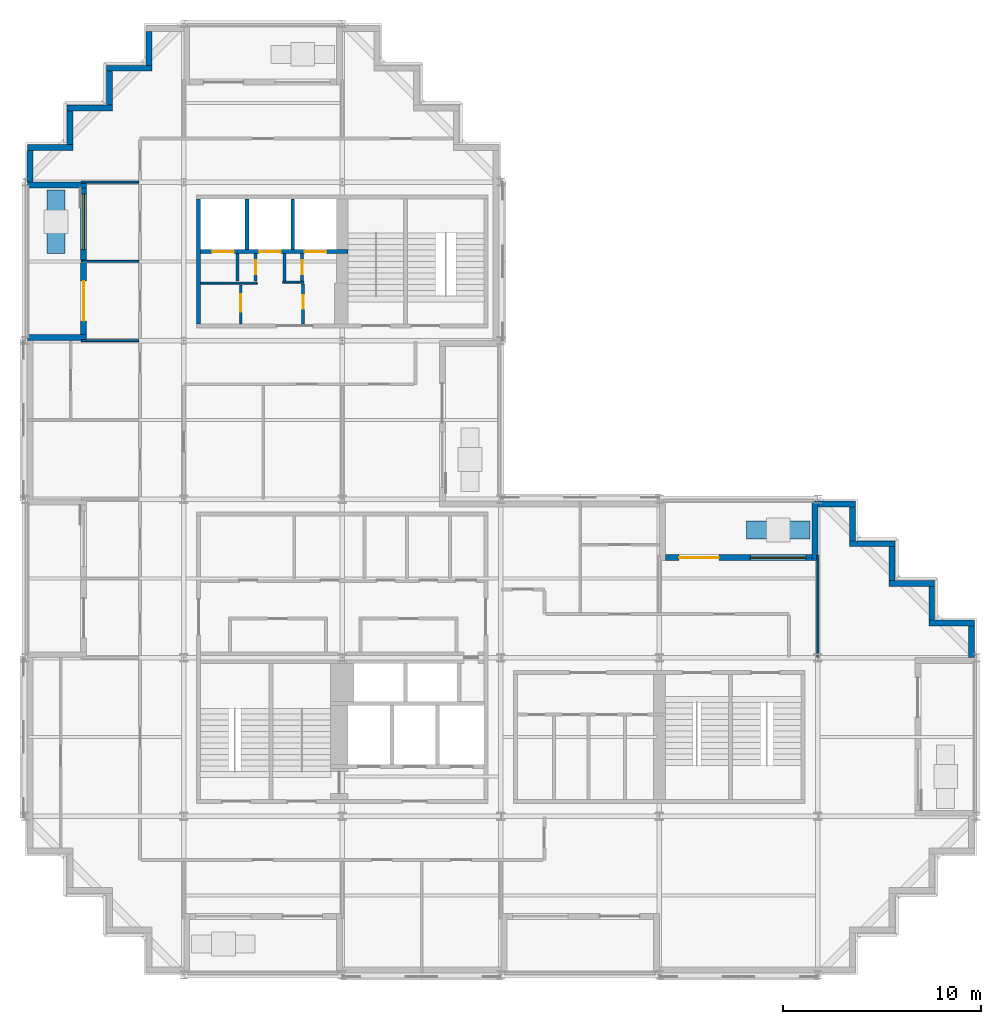
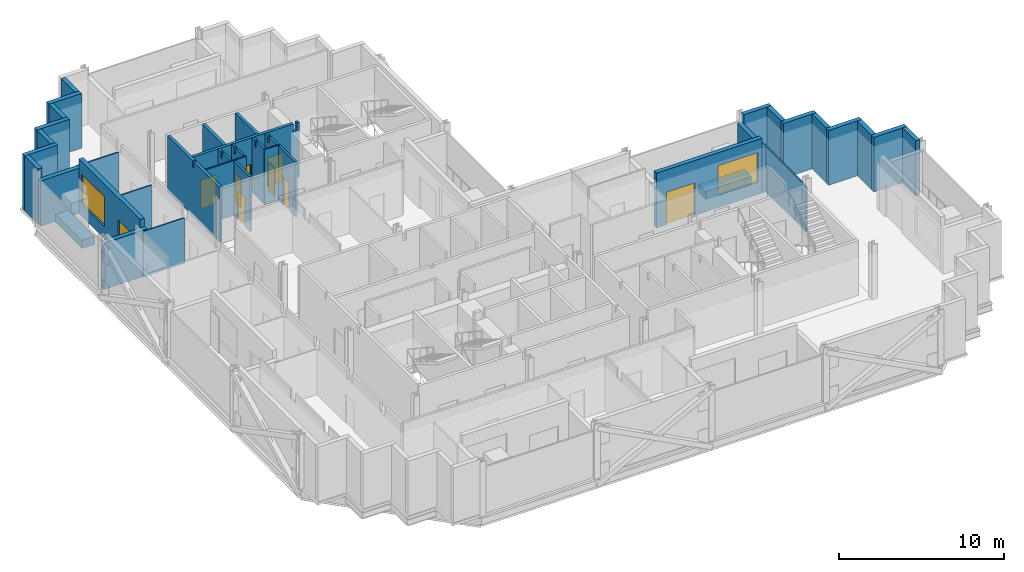
# One storey, part 8 of 13: 38 walls, 9 doors, 2 windows, 11 openings.
"""IFC4 building model written with IfcOpenShell, lengths in metres."""

from ifc_helpers import new_model, si_unit, direction, frame, frame_2d, origin, place, context, subcontext, project, spatial, polyline, rectangle, outline, extrude, material, layer, layer_set, type_object, element, fill, save


model = new_model("IFC4")

# Units and contexts
model_context = context("Model", 3, precision=1e-05, world=origin(), true_north=direction((0.0, 1.0)))
body_context = subcontext(model_context, "Body", "Model", "MODEL_VIEW")
ifc_project = project(units=[si_unit("LENGTHUNIT", "METRE"), si_unit("AREAUNIT", "SQUARE_METRE"), si_unit("VOLUMEUNIT", "CUBIC_METRE"), si_unit("PLANEANGLEUNIT", "RADIAN"), si_unit("MASSUNIT", "GRAM", prefix="KILO")], contexts=[model_context])

# Site, building, storey
site_placement = place(None, origin())
site = spatial("IfcSite", under=ifc_project, at=site_placement, CompositionType="ELEMENT")
building_placement = place(site_placement, origin())
building = spatial("IfcBuilding", under=site, at=building_placement, Name="Immortelle Media Tower", CompositionType="ELEMENT")
storey_placement = place(building_placement, frame((0.0, 0.0, 166.199951171875)))
storey = spatial("IfcBuildingStorey", under=building, at=storey_placement, Name="L34", CompositionType="ELEMENT", Elevation=166.199951171875)

# Walls
ifc_material_1 = material(Name="Fire-rated gypsum board", Category="gypsum")
ifc_layer_1 = layer(ifc_material_1, 0.02490234375)
ifc_material_2 = material(Name="Steel ASTM A653 SS Gr 50 stud frame with mineral wool", Category="steel")
ifc_layer_2 = layer(ifc_material_2, 0.050048828125)
ifc_layer_3 = layer(ifc_material_1, 0.02490234375)
ifc_layer_set_1 = layer_set([ifc_layer_1, ifc_layer_2, ifc_layer_3], Name="Steel ASTM A653 SS Gr 50 stud frame with mineral wool")
wall_type_1 = type_object("IfcWallType", Name="Core partition 100", PredefinedType="PARTITIONING", material=ifc_layer_set_1)
wall_1_placement = place(storey_placement, frame((8.85009765625, 34.89990234375, 0.0), z_axis=(0.0, 0.0, 1.0), x_axis=(1.0, 0.0, 0.0)))
element("IfcWall", 1, at=wall_1_placement, inside=storey, type_object=wall_type_1, Name="Core partition NW", PredefinedType="PARTITIONING", context=body_context, shape_type="SweptSolid", body=[
    extrude(rectangle(XDim=2.849853515625, YDim=0.10009765625, at=frame_2d((1.4248046875, 0.0))), origin(), (0.0, 0.0, 1.0), 4.050048828125),
])
wall_2_placement = place(storey_placement, frame((13.0, 34.949951171875, 0.0), z_axis=(0.0, 0.0, 1.0), x_axis=(1.0, 0.0, 0.0)))
element("IfcWall", 2, at=wall_2_placement, inside=storey, type_object=wall_type_1, Name="Core partition NW", PredefinedType="PARTITIONING", context=body_context, shape_type="SweptSolid", body=[
    extrude(rectangle(XDim=1.050048828125, YDim=0.10009765625, at=frame_2d((0.52490234375, 0.0))), origin(), (0.0, 0.0, 1.0), 4.050048828125),
])
ifc_layer_4 = layer(ifc_material_1, 0.02490234375)
ifc_layer_5 = layer(ifc_material_2, 0.10009765625)
ifc_layer_6 = layer(ifc_material_1, 0.02490234375)
ifc_layer_set_2 = layer_set([ifc_layer_4, ifc_layer_5, ifc_layer_6], Name="Steel ASTM A653 SS Gr 50 stud frame with mineral wool")
wall_type_2 = type_object("IfcWallType", Name="Core partition 150", PredefinedType="PARTITIONING", material=ifc_layer_set_2)
wall_3_placement = place(storey_placement, frame((10.699951171875, 35.0, 0.0), z_axis=(0.0, 0.0, 1.0), x_axis=(0.0, 1.0, 0.0)))
element("IfcWall", 3, at=wall_3_placement, inside=storey, type_object=wall_type_2, Name="Core partition NW", PredefinedType="PARTITIONING", context=body_context, shape_type="SweptSolid", body=[
    extrude(outline(polyline([(0.0, 0.0), (1.39990234375, 0.0), (1.39990234375, 4.050048828125), (1.08154296875, 4.050048828125), (1.08056640625, 3.589111328125), (0.91943359375, 3.589111328125), (0.91845703125, 4.050048828125), (0.0, 4.050048828125), (0.0, 0.0)])), frame((0.0, 0.074951171875, 0.0), z_axis=(0.0, -1.0, 0.0), x_axis=(1.0, 0.0, 0.0)), (0.0, 0.0, 1.0), 0.14990234375),
])

# Wall, opening, door
wall_4_placement = place(storey_placement, frame((10.875, 32.85009765625, 0.0), z_axis=(0.0, 0.0, 1.0), x_axis=(0.0, 1.0, 0.0)))
wall_4 = element("IfcWall", 4, at=wall_4_placement, inside=storey, type_object=wall_type_2, Name="Core partition NW", PredefinedType="PARTITIONING", context=body_context, shape_type="SweptSolid", body=[
    extrude(rectangle(XDim=1.949951171875, YDim=0.14990234375, at=frame_2d((0.97509765625, 0.0))), origin(), (0.0, 0.0, 1.0), 4.050048828125),
])
opening_1_placement = place(wall_4_placement, frame((0.60009765625, 0.0, 0.0)))
opening_1 = element("IfcOpeningElement", 5, at=opening_1_placement, cuts=wall_4, Name="Opening C5-K026", PredefinedType="OPENING", context=body_context, shape_type="SweptSolid", body=[
    extrude(rectangle(XDim=0.89990234375, YDim=2.10009765625, at=frame_2d((0.449951171875, 1.050048828125))), frame((0.0, 0.0849609375, 0.0), z_axis=(0.0, -1.0, 0.0), x_axis=(1.0, 0.0, 0.0)), (0.0, 0.0, 1.0), 0.169921875),
])
ifc_material_3 = material(Name="Galvanised steel door leaf and frame ASTM A653", Category="steel")
door_type_1 = type_object("IfcDoorType", Name="Service door 900 x 2100", OperationType="NOTDEFINED", PredefinedType="NOTDEFINED", material=ifc_material_3)
door_1_placement = place(opening_1_placement, origin())
door_1 = element("IfcDoor", 6, at=door_1_placement, inside=storey, type_object=door_type_1, Name="Service C5-K026", OperationType="SINGLE_SWING_LEFT", OverallHeight=2.10009765625, OverallWidth=0.89990234375, PredefinedType="NOTDEFINED", context=body_context, shape_type="SweptSolid", body=[
    extrude(rectangle(XDim=0.89990234375, YDim=2.10009765625, at=frame_2d((0.449951171875, 1.050048828125))), frame((0.0, 0.02490234375, 0.0), z_axis=(0.0, -1.0, 0.0), x_axis=(1.0, 0.0, 0.0)), (0.0, 0.0, 1.0), 0.050048828125),
])
fill(opening_1, door_1)

wall_5_placement = place(storey_placement, frame((11.625, 35.0, 0.0), z_axis=(0.0, 0.0, 1.0), x_axis=(0.0, 1.0, 0.0)))
wall_5 = element("IfcWall", 7, at=wall_5_placement, inside=storey, type_object=wall_type_2, Name="Core partition NW", PredefinedType="PARTITIONING", context=body_context, shape_type="SweptSolid", body=[
    extrude(outline(polyline([(0.0, 0.0), (1.39990234375, 0.0), (1.39990234375, 4.050048828125), (1.08154296875, 4.050048828125), (1.08056640625, 3.589111328125), (0.91943359375, 3.589111328125), (0.91845703125, 4.050048828125), (0.0, 4.050048828125), (0.0, 0.0)])), frame((0.0, 0.074951171875, 0.0), z_axis=(0.0, -1.0, 0.0), x_axis=(1.0, 0.0, 0.0)), (0.0, 0.0, 1.0), 0.14990234375),
])
opening_2_placement = place(wall_5_placement, frame((0.35009765625, 0.0, 0.0)))
opening_2 = element("IfcOpeningElement", 8, at=opening_2_placement, cuts=wall_5, Name="Opening C5-K027", PredefinedType="OPENING", context=body_context, shape_type="SweptSolid", body=[
    extrude(rectangle(XDim=0.699951171875, YDim=2.10009765625, at=frame_2d((0.35009765625, 1.050048828125))), frame((0.0, 0.0849609375, 0.0), z_axis=(0.0, -1.0, 0.0), x_axis=(1.0, 0.0, 0.0)), (0.0, 0.0, 1.0), 0.169921875),
])
door_type_2 = type_object("IfcDoorType", Name="Service door 700 x 2100", OperationType="NOTDEFINED", PredefinedType="NOTDEFINED", material=ifc_material_3)
door_2_placement = place(opening_2_placement, origin())
door_2 = element("IfcDoor", 9, at=door_2_placement, inside=storey, type_object=door_type_2, Name="Service C5-K027", OperationType="SINGLE_SWING_RIGHT", OverallHeight=2.10009765625, OverallWidth=0.699951171875, PredefinedType="NOTDEFINED", context=body_context, shape_type="SweptSolid", body=[
    extrude(rectangle(XDim=0.699951171875, YDim=2.10009765625, at=frame_2d((0.35009765625, 1.050048828125))), frame((0.0, 0.02490234375, 0.0), z_axis=(0.0, -1.0, 0.0), x_axis=(1.0, 0.0, 0.0)), (0.0, 0.0, 1.0), 0.050048828125),
])
fill(opening_2, door_2)

# Wall
wall_6_placement = place(storey_placement, frame((13.074951171875, 35.0, 0.0), z_axis=(0.0, 0.0, 1.0), x_axis=(0.0, 1.0, 0.0)))
element("IfcWall", 10, at=wall_6_placement, inside=storey, type_object=wall_type_2, Name="Core partition NW", PredefinedType="PARTITIONING", context=body_context, shape_type="SweptSolid", body=[
    extrude(outline(polyline([(0.0, 0.0), (1.39990234375, 0.0), (1.39990234375, 4.050048828125), (1.08154296875, 4.050048828125), (1.08056640625, 3.589111328125), (0.91943359375, 3.589111328125), (0.91845703125, 4.050048828125), (0.0, 4.050048828125), (0.0, 0.0)])), frame((0.0, 0.074951171875, 0.0), z_axis=(0.0, -1.0, 0.0), x_axis=(1.0, 0.0, 0.0)), (0.0, 0.0, 1.0), 0.14990234375),
])

# Wall, opening, door
wall_7_placement = place(storey_placement, frame((13.97509765625, 35.0, 0.0), z_axis=(0.0, 0.0, 1.0), x_axis=(0.0, 1.0, 0.0)))
wall_7 = element("IfcWall", 11, at=wall_7_placement, inside=storey, type_object=wall_type_2, Name="Core partition NW", PredefinedType="PARTITIONING", context=body_context, shape_type="SweptSolid", body=[
    extrude(outline(polyline([(0.0, 0.0), (1.39990234375, 0.0), (1.39990234375, 4.050048828125), (1.08154296875, 4.050048828125), (1.08056640625, 3.589111328125), (0.91943359375, 3.589111328125), (0.91845703125, 4.050048828125), (0.0, 4.050048828125), (0.0, 0.0)])), frame((0.0, 0.074951171875, 0.0), z_axis=(0.0, -1.0, 0.0), x_axis=(1.0, 0.0, 0.0)), (0.0, 0.0, 1.0), 0.14990234375),
])
opening_3_placement = place(wall_7_placement, frame((1.050048828125, 0.0, 0.0), z_axis=(0.0, 0.0, 1.0), x_axis=(-1.0, 0.0, 0.0)))
opening_3 = element("IfcOpeningElement", 12, at=opening_3_placement, cuts=wall_7, Name="Opening C5-K030", PredefinedType="OPENING", context=body_context, shape_type="SweptSolid", body=[
    extrude(rectangle(XDim=0.699951171875, YDim=2.10009765625, at=frame_2d((0.35009765625, 1.050048828125))), frame((0.0, 0.0849609375, 0.0), z_axis=(0.0, -1.0, 0.0), x_axis=(1.0, 0.0, 0.0)), (0.0, 0.0, 1.0), 0.169921875),
])
door_3_placement = place(opening_3_placement, origin())
door_3 = element("IfcDoor", 13, at=door_3_placement, inside=storey, type_object=door_type_2, Name="Service C5-K030", OperationType="SINGLE_SWING_LEFT", OverallHeight=2.10009765625, OverallWidth=0.699951171875, PredefinedType="NOTDEFINED", context=body_context, shape_type="SweptSolid", body=[
    extrude(rectangle(XDim=0.699951171875, YDim=2.10009765625, at=frame_2d((0.35009765625, 1.050048828125))), frame((0.0, 0.02490234375, 0.0), z_axis=(0.0, -1.0, 0.0), x_axis=(1.0, 0.0, 0.0)), (0.0, 0.0, 1.0), 0.050048828125),
])
fill(opening_3, door_3)

wall_8_placement = place(storey_placement, frame((14.02490234375, 32.85009765625, 0.0), z_axis=(0.0, 0.0, 1.0), x_axis=(0.0, 1.0, 0.0)))
wall_8 = element("IfcWall", 14, at=wall_8_placement, inside=storey, type_object=wall_type_2, Name="Core partition NW", PredefinedType="PARTITIONING", context=body_context, shape_type="SweptSolid", body=[
    extrude(rectangle(XDim=2.0, YDim=0.14990234375, at=frame_2d((1.0, 0.0))), origin(), (0.0, 0.0, 1.0), 4.050048828125),
])
opening_4_placement = place(wall_8_placement, frame((1.449951171875, 0.0, 0.0), z_axis=(0.0, 0.0, 1.0), x_axis=(-1.0, 0.0, 0.0)))
opening_4 = element("IfcOpeningElement", 15, at=opening_4_placement, cuts=wall_8, Name="Opening C5-K031", PredefinedType="OPENING", context=body_context, shape_type="SweptSolid", body=[
    extrude(rectangle(XDim=0.699951171875, YDim=2.10009765625, at=frame_2d((0.35009765625, 1.050048828125))), frame((0.0, 0.0849609375, 0.0), z_axis=(0.0, -1.0, 0.0), x_axis=(1.0, 0.0, 0.0)), (0.0, 0.0, 1.0), 0.169921875),
])
door_4_placement = place(opening_4_placement, origin())
door_4 = element("IfcDoor", 16, at=door_4_placement, inside=storey, type_object=door_type_2, Name="Service C5-K031", OperationType="SINGLE_SWING_LEFT", OverallHeight=2.10009765625, OverallWidth=0.699951171875, PredefinedType="NOTDEFINED", context=body_context, shape_type="SweptSolid", body=[
    extrude(rectangle(XDim=0.699951171875, YDim=2.10009765625, at=frame_2d((0.35009765625, 1.050048828125))), frame((0.0, 0.02490234375, 0.0), z_axis=(0.0, -1.0, 0.0), x_axis=(1.0, 0.0, 0.0)), (0.0, 0.0, 1.0), 0.050048828125),
])
fill(opening_4, door_4)

# Wall
ifc_layer_7 = layer(ifc_material_1, 0.03759765625)
ifc_layer_8 = layer(ifc_material_2, 0.125)
ifc_layer_9 = layer(ifc_material_1, 0.03759765625)
ifc_layer_set_3 = layer_set([ifc_layer_7, ifc_layer_8, ifc_layer_9], Name="Steel ASTM A653 SS Gr 50 stud frame with mineral wool")
wall_type_3 = type_object("IfcWallType", Name="Core shaft wall 200", PredefinedType="PARTITIONING", material=ifc_layer_set_3)
wall_9_placement = place(storey_placement, frame((8.75, 32.85009765625, 0.0), z_axis=(0.0, 0.0, 1.0), x_axis=(0.0, 1.0, 0.0)))
element("IfcWall", 17, at=wall_9_placement, inside=storey, type_object=wall_type_3, Name="Core shaft wall NW", PredefinedType="PARTITIONING", context=body_context, shape_type="SweptSolid", body=[
    extrude(outline(polyline([(0.0, 0.0), (6.2998046875, 0.0), (6.300048828125, 4.050048828125), (3.2314453125, 4.050048828125), (3.23046875, 3.589111328125), (3.069580078125, 3.589111328125), (3.068603515625, 4.050048828125), (0.0, 4.050048828125), (0.0, 0.0)])), frame((0.0, 0.10009765625, 0.0), z_axis=(0.0, -1.0, 0.0), x_axis=(1.0, 0.0, 0.0)), (0.0, 0.0, 1.0), 0.199951171875),
])

# Wall, openings, doors
wall_10_placement = place(storey_placement, frame((8.85009765625, 36.5, 0.0), z_axis=(0.0, 0.0, 1.0), x_axis=(1.0, 0.0, 0.0)))
wall_10 = element("IfcWall", 18, at=wall_10_placement, inside=storey, type_object=wall_type_3, Name="Core shaft wall NW", PredefinedType="PARTITIONING", context=body_context, shape_type="SweptSolid", body=[
    extrude(outline(polyline([(0.0, 0.0), (7.449951171875, 0.0), (7.449951171875, 4.050048828125), (7.26904296875, 4.050048828125), (7.26806640625, 3.442138671875), (7.031982421875, 3.442138671875), (7.031005859375, 4.050048828125), (0.0, 4.050048828125), (0.0, 0.0)])), frame((0.0, 0.10009765625, 0.0), z_axis=(0.0, -1.0, 0.0), x_axis=(1.0, 0.0, 0.0)), (0.0, 0.0, 1.0), 0.199951171875),
])
opening_5_placement = place(wall_10_placement, frame((0.574951171875, 0.0, 0.0)))
opening_5 = element("IfcOpeningElement", 19, at=opening_5_placement, cuts=wall_10, Name="Opening LD", PredefinedType="OPENING", context=body_context, shape_type="SweptSolid", body=[
    extrude(rectangle(XDim=1.10009765625, YDim=2.10009765625, at=frame_2d((0.550048828125, 1.050048828125))), frame((0.0, 0.10986328125, 0.0), z_axis=(0.0, -1.0, 0.0), x_axis=(1.0, 0.0, 0.0)), (0.0, 0.0, 1.0), 0.219970703125),
])
opening_6_placement = place(wall_10_placement, frame((2.949951171875, 0.0, 0.0)))
opening_6 = element("IfcOpeningElement", 20, at=opening_6_placement, cuts=wall_10, Name="Opening LD", PredefinedType="OPENING", context=body_context, shape_type="SweptSolid", body=[
    extrude(rectangle(XDim=1.10009765625, YDim=2.10009765625, at=frame_2d((0.550048828125, 1.050048828125))), frame((0.0, 0.10986328125, 0.0), z_axis=(0.0, -1.0, 0.0), x_axis=(1.0, 0.0, 0.0)), (0.0, 0.0, 1.0), 0.219970703125),
])
opening_7_placement = place(wall_10_placement, frame((5.25, 0.0, 0.0)))
opening_7 = element("IfcOpeningElement", 21, at=opening_7_placement, cuts=wall_10, Name="Opening LD", PredefinedType="OPENING", context=body_context, shape_type="SweptSolid", body=[
    extrude(rectangle(XDim=1.10009765625, YDim=2.10009765625, at=frame_2d((0.550048828125, 1.050048828125))), frame((0.0, 0.10986328125, 0.0), z_axis=(0.0, -1.0, 0.0), x_axis=(1.0, 0.0, 0.0)), (0.0, 0.0, 1.0), 0.219970703125),
])
ifc_material_4 = material(Name="Stainless steel AISI 304", Category="steel")
door_type_3 = type_object("IfcDoorType", Name="Landing door 1100 x 2100", OperationType="SLIDING_TO_LEFT", PredefinedType="NOTDEFINED", material=ifc_material_4)
door_5_placement = place(opening_5_placement, origin())
door_5 = element("IfcDoor", 22, at=door_5_placement, inside=storey, type_object=door_type_3, Name="Landing door MR1 L34", OperationType="SLIDING_TO_LEFT", OverallHeight=2.10009765625, OverallWidth=1.10009765625, PredefinedType="NOTDEFINED", context=body_context, shape_type="SweptSolid", body=[
    extrude(rectangle(XDim=1.10009765625, YDim=2.10009765625, at=frame_2d((0.550048828125, 1.050048828125))), frame((0.0, 0.02490234375, 0.0), z_axis=(0.0, -1.0, 0.0), x_axis=(1.0, 0.0, 0.0)), (0.0, 0.0, 1.0), 0.050048828125),
])
fill(opening_5, door_5)
door_6_placement = place(opening_6_placement, origin())
door_6 = element("IfcDoor", 23, at=door_6_placement, inside=storey, type_object=door_type_3, Name="Landing door MR2 L34", OperationType="SLIDING_TO_LEFT", OverallHeight=2.10009765625, OverallWidth=1.10009765625, PredefinedType="NOTDEFINED", context=body_context, shape_type="SweptSolid", body=[
    extrude(rectangle(XDim=1.10009765625, YDim=2.10009765625, at=frame_2d((0.550048828125, 1.050048828125))), frame((0.0, 0.02490234375, 0.0), z_axis=(0.0, -1.0, 0.0), x_axis=(1.0, 0.0, 0.0)), (0.0, 0.0, 1.0), 0.050048828125),
])
fill(opening_6, door_6)
door_7_placement = place(opening_7_placement, origin())
door_7 = element("IfcDoor", 24, at=door_7_placement, inside=storey, type_object=door_type_3, Name="Landing door MR3 L34", OperationType="SLIDING_TO_LEFT", OverallHeight=2.10009765625, OverallWidth=1.10009765625, PredefinedType="NOTDEFINED", context=body_context, shape_type="SweptSolid", body=[
    extrude(rectangle(XDim=1.10009765625, YDim=2.10009765625, at=frame_2d((0.550048828125, 1.050048828125))), frame((0.0, 0.02490234375, 0.0), z_axis=(0.0, -1.0, 0.0), x_axis=(1.0, 0.0, 0.0)), (0.0, 0.0, 1.0), 0.050048828125),
])
fill(opening_7, door_7)

# Walls
for number, where, z_axis, x_axis, name in (
    (25, (11.199951171875, 36.60009765625, 0.0), (0.0, 0.0, 1.0), (0.0, 1.0, 0.0), "Core shaft wall NW"),
    (26, (13.5, 36.60009765625, 0.0), (0.0, 0.0, 1.0), (0.0, 1.0, 0.0), "Core shaft wall NW"),
):
    element("IfcWall", number, at=place(storey_placement, frame(where, z_axis=z_axis, x_axis=x_axis)), inside=storey, type_object=wall_type_3, Name=name, PredefinedType="PARTITIONING", context=body_context, shape_type="SweptSolid", body=[
        extrude(rectangle(XDim=2.5498046875, YDim=0.199951171875, at=frame_2d((1.27490234375, 0.0))), origin(), (0.0, 0.0, 1.0), 4.050048828125),
    ])
ifc_material_5 = material(Name="Pale aluminium cladding panel", Category="aluminium")
ifc_layer_10 = layer(ifc_material_5, 0.030029296875)
ifc_layer_11 = layer(ifc_material_2, 0.257568359375)
ifc_material_6 = material(Name="Moisture-resistant gypsum board", Category="gypsum")
ifc_layer_12 = layer(ifc_material_6, 0.012451171875)
ifc_layer_set_4 = layer_set([ifc_layer_10, ifc_layer_11, ifc_layer_12], Name="Steel ASTM A653 SS Gr 50 stud frame with mineral wool")
wall_type_4 = type_object("IfcWallType", Name="Facade wall 300", PredefinedType="SOLIDWALL", material=ifc_layer_set_4)
wall_11_placement = place(storey_placement, frame((47.75, 16.0, 0.0), z_axis=(0.0, 0.0, 1.0), x_axis=(0.0, 1.0, 0.0)))
element("IfcWall", 27, at=wall_11_placement, inside=storey, type_object=wall_type_4, Name="Facade wall L34 E13", PredefinedType="SOLIDWALL", context=body_context, shape_type="SweptSolid", body=[
    extrude(rectangle(XDim=1.60009765625, YDim=0.300048828125, at=frame_2d((0.800048828125, 0.0))), origin(), (0.0, 0.0, 1.0), 4.050048828125),
])
wall_12_placement = place(storey_placement, frame((47.89990234375, 17.75, 0.0), z_axis=(0.0, 0.0, 1.0), x_axis=(-1.0, 0.0, 0.0)))
element("IfcWall", 28, at=wall_12_placement, inside=storey, type_object=wall_type_4, Name="Facade wall L34 N14", PredefinedType="SOLIDWALL", context=body_context, shape_type="SweptSolid", body=[
    extrude(rectangle(XDim=2.2998046875, YDim=0.300048828125, at=frame_2d((1.14990234375, 0.0))), origin(), (0.0, 0.0, 1.0), 4.050048828125),
])
wall_13_placement = place(storey_placement, frame((45.75, 17.89990234375, 0.0), z_axis=(0.0, 0.0, 1.0), x_axis=(0.0, 1.0, 0.0)))
element("IfcWall", 29, at=wall_13_placement, inside=storey, type_object=wall_type_4, Name="Facade wall L34 E15", PredefinedType="SOLIDWALL", context=body_context, shape_type="SweptSolid", body=[
    extrude(rectangle(XDim=1.7001953125, YDim=0.300048828125, at=frame_2d((0.85009765625, 0.0))), origin(), (0.0, 0.0, 1.0), 4.050048828125),
])
wall_14_placement = place(storey_placement, frame((45.89990234375, 19.75, 0.0), z_axis=(0.0, 0.0, 1.0), x_axis=(-1.0, 0.0, 0.0)))
element("IfcWall", 30, at=wall_14_placement, inside=storey, type_object=wall_type_4, Name="Facade wall L34 N16", PredefinedType="SOLIDWALL", context=body_context, shape_type="SweptSolid", body=[
    extrude(rectangle(XDim=2.2998046875, YDim=0.300048828125, at=frame_2d((1.14990234375, 0.0))), origin(), (0.0, 0.0, 1.0), 4.050048828125),
])
wall_15_placement = place(storey_placement, frame((43.75, 19.89990234375, 0.0), z_axis=(0.0, 0.0, 1.0), x_axis=(0.0, 1.0, 0.0)))
element("IfcWall", 31, at=wall_15_placement, inside=storey, type_object=wall_type_4, Name="Facade wall L34 E17", PredefinedType="SOLIDWALL", context=body_context, shape_type="SweptSolid", body=[
    extrude(rectangle(XDim=1.7001953125, YDim=0.300048828125, at=frame_2d((0.85009765625, 0.0))), origin(), (0.0, 0.0, 1.0), 4.050048828125),
])
wall_16_placement = place(storey_placement, frame((43.89990234375, 21.75, 0.0), z_axis=(0.0, 0.0, 1.0), x_axis=(-1.0, 0.0, 0.0)))
element("IfcWall", 32, at=wall_16_placement, inside=storey, type_object=wall_type_4, Name="Facade wall L34 N18", PredefinedType="SOLIDWALL", context=body_context, shape_type="SweptSolid", body=[
    extrude(rectangle(XDim=2.2998046875, YDim=0.300048828125, at=frame_2d((1.14990234375, 0.0))), origin(), (0.0, 0.0, 1.0), 4.050048828125),
])
wall_17_placement = place(storey_placement, frame((41.75, 21.89990234375, 0.0), z_axis=(0.0, 0.0, 1.0), x_axis=(0.0, 1.0, 0.0)))
element("IfcWall", 33, at=wall_17_placement, inside=storey, type_object=wall_type_4, Name="Facade wall L34 E19", PredefinedType="SOLIDWALL", context=body_context, shape_type="SweptSolid", body=[
    extrude(rectangle(XDim=1.7001953125, YDim=0.300048828125, at=frame_2d((0.85009765625, 0.0))), origin(), (0.0, 0.0, 1.0), 4.050048828125),
])
wall_18_placement = place(storey_placement, frame((41.89990234375, 23.75, 0.0), z_axis=(0.0, 0.0, 1.0), x_axis=(-1.0, 0.0, 0.0)))
element("IfcWall", 34, at=wall_18_placement, inside=storey, type_object=wall_type_4, Name="Facade wall L34 N20", PredefinedType="SOLIDWALL", context=body_context, shape_type="SweptSolid", body=[
    extrude(rectangle(XDim=1.89990234375, YDim=0.300048828125, at=frame_2d((0.949951171875, 0.0))), origin(), (0.0, 0.0, 1.0), 4.050048828125),
])

# Wall, openings, door, window
wall_19_placement = place(storey_placement, frame((39.699951171875, 21.050048828125, 0.0), z_axis=(0.0, 0.0, 1.0), x_axis=(-1.0, 0.0, 0.0)))
wall_19 = element("IfcWall", 35, at=wall_19_placement, inside=storey, type_object=wall_type_4, Name="Loggia wall L34 N20", PredefinedType="SOLIDWALL", context=body_context, shape_type="SweptSolid", body=[
    extrude(rectangle(XDim=7.39990234375, YDim=0.300048828125, at=frame_2d((3.699951171875, 0.0))), origin(), (0.0, 0.0, 1.0), 4.050048828125),
])
opening_8_placement = place(wall_19_placement, frame((0.300048828125, 0.0, 0.89990234375)))
opening_8 = element("IfcOpeningElement", 36, at=opening_8_placement, cuts=wall_19, Name="Opening W1", PredefinedType="OPENING", context=body_context, shape_type="SweptSolid", body=[
    extrude(rectangle(XDim=2.800048828125, YDim=2.199951171875, at=frame_2d((1.39990234375, 1.10009765625))), frame((0.0, 0.159912109375, 0.0), z_axis=(0.0, -1.0, 0.0), x_axis=(1.0, 0.0, 0.0)), (0.0, 0.0, 1.0), 0.320068359375),
])
opening_9_placement = place(wall_19_placement, frame((4.699951171875, 0.0, 0.0)))
opening_9 = element("IfcOpeningElement", 37, at=opening_9_placement, cuts=wall_19, Name="Opening C5-E004", PredefinedType="OPENING", context=body_context, shape_type="SweptSolid", body=[
    extrude(rectangle(XDim=2.0, YDim=2.39990234375, at=frame_2d((1.0, 1.199951171875))), frame((0.0, 0.159912109375, 0.0), z_axis=(0.0, -1.0, 0.0), x_axis=(1.0, 0.0, 0.0)), (0.0, 0.0, 1.0), 0.320068359375),
])
ifc_material_7 = material(Name="Aluminium frame, glazed leaves", Category="aluminium")
door_type_4 = type_object("IfcDoorType", Name="Loggia door 2000 x 2400", OperationType="DOUBLE_DOOR_SINGLE_SWING", PredefinedType="DOOR", material=ifc_material_7)
door_8_placement = place(opening_9_placement, origin())
door_8 = element("IfcDoor", 38, at=door_8_placement, inside=storey, type_object=door_type_4, Name="Door C5-E004", OperationType="DOUBLE_DOOR_SINGLE_SWING", OverallHeight=2.39990234375, OverallWidth=2.0, PredefinedType="DOOR", context=body_context, shape_type="SweptSolid", body=[
    extrude(rectangle(XDim=2.0, YDim=2.39990234375, at=frame_2d((1.0, 1.199951171875))), frame((0.0, 0.02490234375, 0.0), z_axis=(0.0, -1.0, 0.0), x_axis=(1.0, 0.0, 0.0)), (0.0, 0.0, 1.0), 0.050048828125),
])
fill(opening_9, door_8)
ifc_material_8 = material(Name="Aluminium frame", Category="aluminium")
window_type = type_object("IfcWindowType", Name="Window 2800 x 2200", PartitioningType="SINGLE_PANEL", PredefinedType="WINDOW", material=ifc_material_8)
window_1_placement = place(opening_8_placement, origin())
window_1 = element("IfcWindow", 39, at=window_1_placement, inside=storey, type_object=window_type, Name="Window L34 L34-R20-B0", OverallHeight=2.199951171875, OverallWidth=2.800048828125, PartitioningType="SINGLE_PANEL", PredefinedType="WINDOW", context=body_context, shape_type="SweptSolid", body=[
    extrude(rectangle(XDim=2.800048828125, YDim=2.199951171875, at=frame_2d((1.39990234375, 1.10009765625))), frame((0.0, 0.030029296875, 0.0), z_axis=(0.0, -1.0, 0.0), x_axis=(1.0, 0.0, 0.0)), (0.0, 0.0, 1.0), 0.06005859375),
])
fill(opening_8, window_1)

# Walls
wall_20_placement = place(storey_placement, frame((39.85009765625, 23.89990234375, 0.0), z_axis=(0.0, 0.0, 1.0), x_axis=(0.0, -1.0, 0.0)))
element("IfcWall", 40, at=wall_20_placement, inside=storey, type_object=wall_type_4, Name="Loggia cheek wall L34 N", PredefinedType="SOLIDWALL", context=body_context, shape_type="SweptSolid", body=[
    extrude(rectangle(XDim=3.0, YDim=0.300048828125, at=frame_2d((1.5, 0.0))), origin(), (0.0, 0.0, 1.0), 3.35302734375),
])
wall_21_placement = place(storey_placement, frame((6.25, 47.60009765625, 0.0), z_axis=(0.0, 0.0, 1.0), x_axis=(0.0, -1.0, 0.0)))
element("IfcWall", 41, at=wall_21_placement, inside=storey, type_object=wall_type_4, Name="Facade wall L34 W29", PredefinedType="SOLIDWALL", context=body_context, shape_type="SweptSolid", body=[
    extrude(rectangle(XDim=1.7001953125, YDim=0.300048828125, at=frame_2d((0.85009765625, 0.0))), origin(), (0.0, 0.0, 1.0), 4.050048828125),
])
wall_22_placement = place(storey_placement, frame((6.39990234375, 45.75, 0.0), z_axis=(0.0, 0.0, 1.0), x_axis=(-1.0, 0.0, 0.0)))
element("IfcWall", 42, at=wall_22_placement, inside=storey, type_object=wall_type_4, Name="Facade wall L34 N30", PredefinedType="SOLIDWALL", context=body_context, shape_type="SweptSolid", body=[
    extrude(rectangle(XDim=2.2998046875, YDim=0.300048828125, at=frame_2d((1.14990234375, 0.0))), origin(), (0.0, 0.0, 1.0), 4.050048828125),
])
wall_23_placement = place(storey_placement, frame((4.25, 45.60009765625, 0.0), z_axis=(0.0, 0.0, 1.0), x_axis=(0.0, -1.0, 0.0)))
element("IfcWall", 43, at=wall_23_placement, inside=storey, type_object=wall_type_4, Name="Facade wall L34 W31", PredefinedType="SOLIDWALL", context=body_context, shape_type="SweptSolid", body=[
    extrude(rectangle(XDim=1.7001953125, YDim=0.300048828125, at=frame_2d((0.85009765625, 0.0))), origin(), (0.0, 0.0, 1.0), 4.050048828125),
])
wall_24_placement = place(storey_placement, frame((4.39990234375, 43.75, 0.0), z_axis=(0.0, 0.0, 1.0), x_axis=(-1.0, 0.0, 0.0)))
element("IfcWall", 44, at=wall_24_placement, inside=storey, type_object=wall_type_4, Name="Facade wall L34 N32", PredefinedType="SOLIDWALL", context=body_context, shape_type="SweptSolid", body=[
    extrude(rectangle(XDim=2.2998046875, YDim=0.300048828125, at=frame_2d((1.14990234375, 0.0))), origin(), (0.0, 0.0, 1.0), 4.050048828125),
])
wall_25_placement = place(storey_placement, frame((2.25, 43.60009765625, 0.0), z_axis=(0.0, 0.0, 1.0), x_axis=(0.0, -1.0, 0.0)))
element("IfcWall", 45, at=wall_25_placement, inside=storey, type_object=wall_type_4, Name="Facade wall L34 W33", PredefinedType="SOLIDWALL", context=body_context, shape_type="SweptSolid", body=[
    extrude(rectangle(XDim=1.7001953125, YDim=0.300048828125, at=frame_2d((0.85009765625, 0.0))), origin(), (0.0, 0.0, 1.0), 4.050048828125),
])
wall_26_placement = place(storey_placement, frame((2.39990234375, 41.75, 0.0), z_axis=(0.0, 0.0, 1.0), x_axis=(-1.0, 0.0, 0.0)))
element("IfcWall", 46, at=wall_26_placement, inside=storey, type_object=wall_type_4, Name="Facade wall L34 N34", PredefinedType="SOLIDWALL", context=body_context, shape_type="SweptSolid", body=[
    extrude(rectangle(XDim=2.2998046875, YDim=0.300048828125, at=frame_2d((1.14990234375, 0.0))), origin(), (0.0, 0.0, 1.0), 4.050048828125),
])
wall_27_placement = place(storey_placement, frame((0.25, 41.60009765625, 0.0), z_axis=(0.0, 0.0, 1.0), x_axis=(0.0, -1.0, 0.0)))
element("IfcWall", 47, at=wall_27_placement, inside=storey, type_object=wall_type_4, Name="Facade wall L34 W35", PredefinedType="SOLIDWALL", context=body_context, shape_type="SweptSolid", body=[
    extrude(rectangle(XDim=1.60009765625, YDim=0.300048828125, at=frame_2d((0.800048828125, 0.0))), origin(), (0.0, 0.0, 1.0), 4.050048828125),
])

# Wall, openings, door, window
wall_28_placement = place(storey_placement, frame((2.949951171875, 39.699951171875, 0.0), z_axis=(0.0, 0.0, 1.0), x_axis=(0.0, -1.0, 0.0)))
wall_28 = element("IfcWall", 48, at=wall_28_placement, inside=storey, type_object=wall_type_4, Name="Loggia wall L34 W35", PredefinedType="SOLIDWALL", context=body_context, shape_type="SweptSolid", body=[
    extrude(rectangle(XDim=7.39990234375, YDim=0.300048828125, at=frame_2d((3.699951171875, 0.0))), origin(), (0.0, 0.0, 1.0), 4.050048828125),
])
opening_10_placement = place(wall_28_placement, frame((0.300048828125, 0.0, 0.89990234375)))
opening_10 = element("IfcOpeningElement", 49, at=opening_10_placement, cuts=wall_28, Name="Opening W1", PredefinedType="OPENING", context=body_context, shape_type="SweptSolid", body=[
    extrude(rectangle(XDim=2.800048828125, YDim=2.199951171875, at=frame_2d((1.39990234375, 1.10009765625))), frame((0.0, 0.159912109375, 0.0), z_axis=(0.0, -1.0, 0.0), x_axis=(1.0, 0.0, 0.0)), (0.0, 0.0, 1.0), 0.320068359375),
])
opening_11_placement = place(wall_28_placement, frame((4.699951171875, 0.0, 0.0)))
opening_11 = element("IfcOpeningElement", 50, at=opening_11_placement, cuts=wall_28, Name="Opening C5-E007", PredefinedType="OPENING", context=body_context, shape_type="SweptSolid", body=[
    extrude(rectangle(XDim=2.0, YDim=2.39990234375, at=frame_2d((1.0, 1.199951171875))), frame((0.0, 0.159912109375, 0.0), z_axis=(0.0, -1.0, 0.0), x_axis=(1.0, 0.0, 0.0)), (0.0, 0.0, 1.0), 0.320068359375),
])
door_9_placement = place(opening_11_placement, origin())
door_9 = element("IfcDoor", 51, at=door_9_placement, inside=storey, type_object=door_type_4, Name="Door C5-E007", OperationType="DOUBLE_DOOR_SINGLE_SWING", OverallHeight=2.39990234375, OverallWidth=2.0, PredefinedType="DOOR", context=body_context, shape_type="SweptSolid", body=[
    extrude(rectangle(XDim=2.0, YDim=2.39990234375, at=frame_2d((1.0, 1.199951171875))), frame((0.0, 0.02490234375, 0.0), z_axis=(0.0, -1.0, 0.0), x_axis=(1.0, 0.0, 0.0)), (0.0, 0.0, 1.0), 0.050048828125),
])
fill(opening_11, door_9)
window_2_placement = place(opening_10_placement, origin())
window_2 = element("IfcWindow", 52, at=window_2_placement, inside=storey, type_object=window_type, Name="Window L34 L34-R35-B0", OverallHeight=2.199951171875, OverallWidth=2.800048828125, PartitioningType="SINGLE_PANEL", PredefinedType="WINDOW", context=body_context, shape_type="SweptSolid", body=[
    extrude(rectangle(XDim=2.800048828125, YDim=2.199951171875, at=frame_2d((1.39990234375, 1.10009765625))), frame((0.0, 0.030029296875, 0.0), z_axis=(0.0, -1.0, 0.0), x_axis=(1.0, 0.0, 0.0)), (0.0, 0.0, 1.0), 0.06005859375),
])
fill(opening_10, window_2)

# Walls
wall_29_placement = place(storey_placement, frame((0.10009765625, 39.85009765625, 0.0), z_axis=(0.0, 0.0, 1.0), x_axis=(1.0, 0.0, 0.0)))
element("IfcWall", 53, at=wall_29_placement, inside=storey, type_object=wall_type_4, Name="Loggia cheek wall L34 W", PredefinedType="SOLIDWALL", context=body_context, shape_type="SweptSolid", body=[
    extrude(rectangle(XDim=3.0, YDim=0.300048828125, at=frame_2d((1.5, 0.0))), origin(), (0.0, 0.0, 1.0), 3.35302734375),
])
wall_30_placement = place(storey_placement, frame((0.10009765625, 32.14990234375, 0.0), z_axis=(0.0, 0.0, 1.0), x_axis=(1.0, 0.0, 0.0)))
element("IfcWall", 54, at=wall_30_placement, inside=storey, type_object=wall_type_4, Name="Loggia cheek wall L34 W", PredefinedType="SOLIDWALL", context=body_context, shape_type="SweptSolid", body=[
    extrude(rectangle(XDim=3.0, YDim=0.300048828125, at=frame_2d((1.5, 0.0))), origin(), (0.0, 0.0, 1.0), 3.43701171875),
])
ifc_material_9 = material(Name="Gypsum board", Category="gypsum")
ifc_layer_13 = layer(ifc_material_9, 0.012451171875)
ifc_layer_14 = layer(ifc_material_2, 0.074951171875)
ifc_layer_15 = layer(ifc_material_9, 0.012451171875)
ifc_layer_set_5 = layer_set([ifc_layer_13, ifc_layer_14, ifc_layer_15], Name="Steel ASTM A653 SS Gr 50 stud frame with mineral wool")
wall_type_5 = type_object("IfcWallType", Name="Partition 100", PredefinedType="PARTITIONING", material=ifc_layer_set_5)
wall_31_placement = place(storey_placement, frame((40.0, 16.030029296875, 0.0), z_axis=(0.0, 0.0, 1.0), x_axis=(0.0, 1.0, 0.0)))
element("IfcWall", 55, at=wall_31_placement, inside=storey, type_object=wall_type_5, Name="Partition L34-011", PredefinedType="PARTITIONING", context=body_context, shape_type="SweptSolid", body=[
    extrude(rectangle(XDim=5.139892578125, YDim=0.10009765625, at=frame_2d((2.56982421875, 0.0))), origin(), (0.0, 0.0, 1.0), 3.35400390625),
])
for number, where, z_axis, x_axis, name in (
    (56, (2.830078125, 32.0, 0.0), (0.0, 0.0, 1.0), (1.0, 0.0, 0.0), "Partition L34-029"),
    (57, (2.830078125, 36.0, 0.0), (0.0, 0.0, 1.0), (1.0, 0.0, 0.0), "Partition L34-030"),
    (58, (2.830078125, 40.0, 0.0), (0.0, 0.0, 1.0), (1.0, 0.0, 0.0), "Partition L34-031"),
):
    element("IfcWall", number, at=place(storey_placement, frame(where, z_axis=z_axis, x_axis=x_axis)), inside=storey, type_object=wall_type_5, Name=name, PredefinedType="PARTITIONING", context=body_context, shape_type="SweptSolid", body=[
        extrude(rectangle(XDim=2.89501953125, YDim=0.10009765625, at=frame_2d((1.447509765625, 0.0))), origin(), (0.0, 0.0, 1.0), 3.35400390625),
    ])
ifc_layer_16 = layer(ifc_material_5, 0.0029296875)
ifc_material_10 = material(Name="Steel ASTM A572 Gr 50 planter shell", Category="steel")
ifc_layer_17 = layer(ifc_material_10, 0.011962890625)
ifc_material_11 = material(Name="Planting substrate", Category="soil")
ifc_layer_18 = layer(ifc_material_11, 0.873046875)
ifc_layer_19 = layer(ifc_material_10, 0.011962890625)
ifc_layer_set_6 = layer_set([ifc_layer_16, ifc_layer_17, ifc_layer_18, ifc_layer_19], Name="Steel ASTM A572 Gr 50 planter shell")
wall_type_6 = type_object("IfcWallType", Name="Planter wall 900", PredefinedType="SOLIDWALL", material=ifc_layer_set_6)
for number, where, z_axis, x_axis, name in (
    (59, (39.60009765625, 22.449951171875, 0.0), (0.0, 0.0, 1.0), (-1.0, 0.0, 0.0), "Planter L34 N0"),
    (60, (1.550048828125, 39.60009765625, 0.0), (0.0, 0.0, 1.0), (0.0, -1.0, 0.0), "Planter L34 W0"),
):
    element("IfcWall", number, at=place(storey_placement, frame(where, z_axis=z_axis, x_axis=x_axis)), inside=storey, type_object=wall_type_6, Name=name, PredefinedType="SOLIDWALL", context=body_context, shape_type="SweptSolid", body=[
        extrude(rectangle(XDim=3.2001953125, YDim=0.89990234375, at=frame_2d((1.60009765625, 0.0))), origin(), (0.0, 0.0, 1.0), 0.60009765625),
    ])

save(model, "model.ifc")
